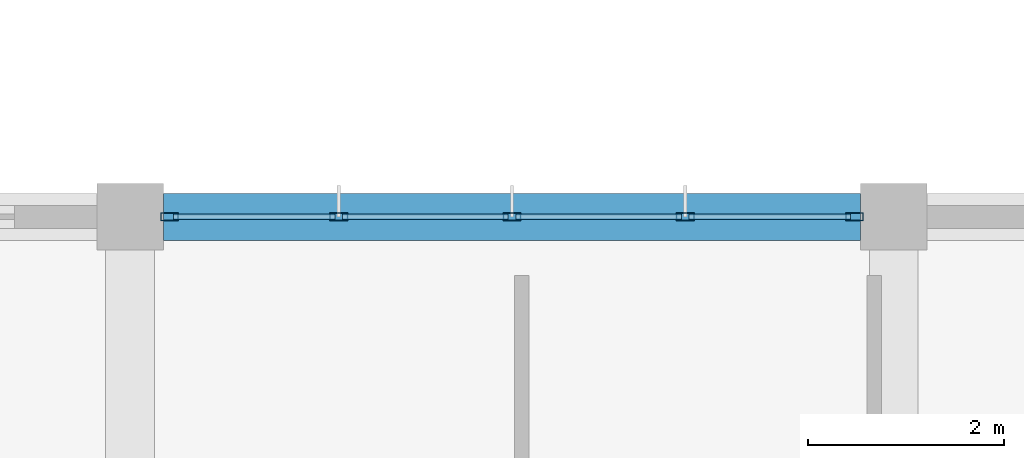
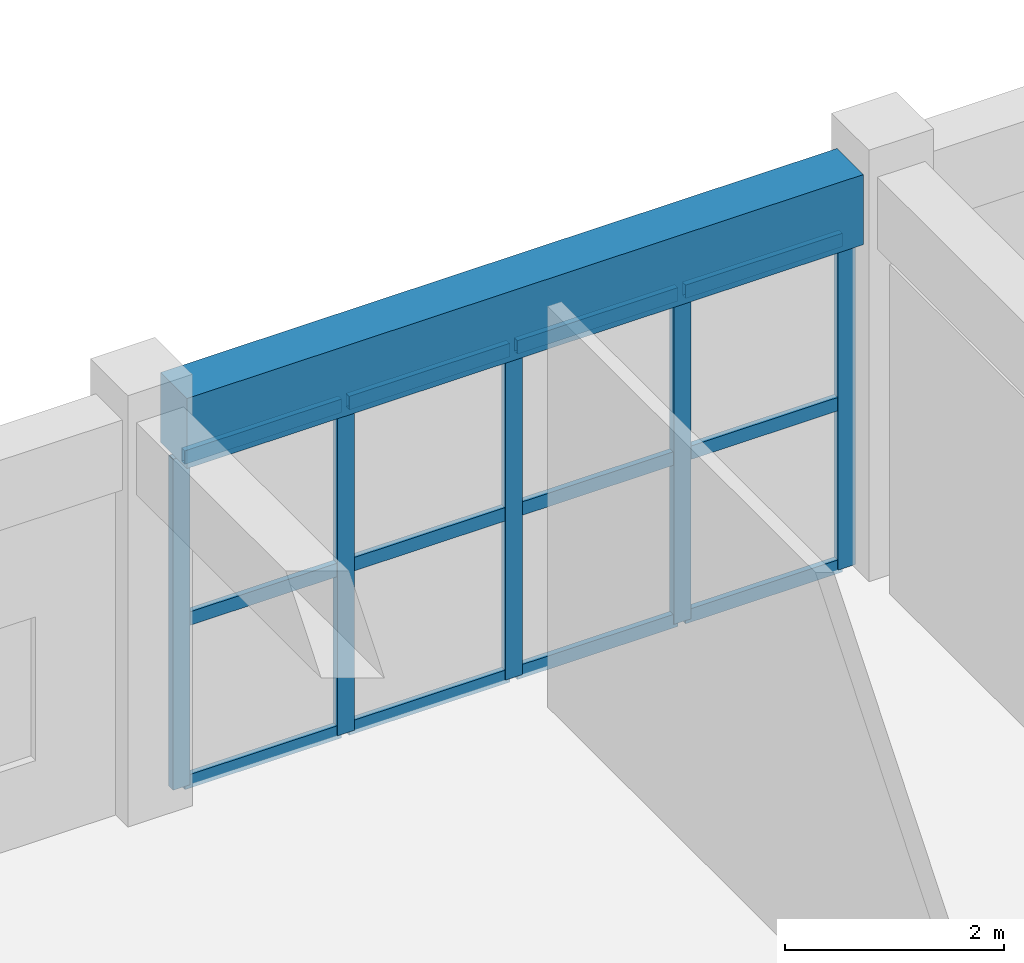
# One storey, part 109 of 175: 17 members, 1 beam, 1 element without a shape of its own.
"""IFC4 building model written with IfcOpenShell, lengths in metres."""

from ifc_helpers import new_model, si_unit, direction, frame, origin, origin_2d, place, context, subcontext, project, spatial, rectangle, hollow_rectangle, extrude, material, layer, layer_set, material_profile, profile_set, type_object, element, aggregate, save


model = new_model("IFC4")

# Units and contexts
model_context = context("Model", 3, precision=1e-05, world=origin(), true_north=direction((0.0, 1.0)))
body_context = subcontext(model_context, "Body", "Model", "MODEL_VIEW")
ifc_project = project(units=[si_unit("LENGTHUNIT", "METRE"), si_unit("AREAUNIT", "SQUARE_METRE"), si_unit("VOLUMEUNIT", "CUBIC_METRE"), si_unit("PLANEANGLEUNIT", "RADIAN"), si_unit("MASSUNIT", "GRAM", prefix="KILO")], contexts=[model_context])

# Site, building, storey
site_placement = place(None, origin())
site = spatial("IfcSite", under=ifc_project, at=site_placement, CompositionType="ELEMENT")
building_placement = place(site_placement, origin())
building = spatial("IfcBuilding", under=site, at=building_placement, Name="Zizhar Promenade General Hospital", CompositionType="ELEMENT")
storey_placement = place(building_placement, frame((0.0, 0.0, 4.800048828125)))
storey = spatial("IfcBuildingStorey", under=building, at=storey_placement, Name="L01", CompositionType="ELEMENT", Elevation=4.800048828125)

# Beam
ifc_material_1 = material(Name="Concrete C35/45", Category="concrete")
ifc_material_profile_1 = material_profile(ifc_material_1, rectangle(XDim=0.47998046875, YDim=0.780029296875, at=origin_2d()))
ifc_profile_set_1 = profile_set([ifc_material_profile_1], Name="Concrete C35/45")
beam_type = type_object("IfcBeamType", Name="BM-RC-480x780", PredefinedType="BEAM", material=ifc_profile_set_1)
beam_placement = place(storey_placement, frame((140.739990234375, 109.199951171875, 4.079833984375), z_axis=(1.0, 0.0, 0.0), x_axis=(0.0, 1.0, 0.0)))
element("IfcBeam", 1, at=beam_placement, inside=storey, type_object=beam_type, Name="Grid Beam X L01 (18-13)", PredefinedType="BEAM", context=body_context, shape_type="SweptSolid", body=[
    extrude(rectangle(XDim=0.47998046875, YDim=0.780029296875, at=origin_2d()), origin(), (0.0, 0.0, 1.0), 7.1201171875),
])

# Curtain wall, members
ifc_material_2 = material(Name="Anodised aluminium 6063-T6 and low-E glass", Category="aluminium")
ifc_layer = layer(ifc_material_2, 0.159912109375)
ifc_layer_set = layer_set([ifc_layer], Name="Anodised aluminium 6063-T6 and low-E glass")
curtain_wall_type = type_object("IfcCurtainWallType", Name="CW-CLN-EXT", PredefinedType="NOTDEFINED", material=ifc_layer_set)
curtain_wall_placement = place(storey_placement, origin())
curtain_wall = element("IfcCurtainWall", 2, at=curtain_wall_placement, inside=storey, type_object=curtain_wall_type, Name="Outpatient North Curtain Wall L01-18", PredefinedType="NOTDEFINED")
ifc_material_3 = material(Name="Anodised aluminium 6063-T6", Category="aluminium")
ifc_material_profile_2 = material_profile(ifc_material_3, hollow_rectangle(XDim=0.080078125, YDim=0.179931640625, WallThickness=0.0048828125, at=origin_2d()))
ifc_profile_set_2 = profile_set([ifc_material_profile_2], Name="Anodised aluminium 6063-T6")
member_type_1 = type_object("IfcMemberType", Name="CWM-ALU-180x80", PredefinedType="MULLION", material=ifc_profile_set_2)
member_1_placement = place(storey_placement, frame((140.800048828125, 109.199951171875, 0.0), z_axis=(0.0, 0.0, 1.0), x_axis=(0.0, 1.0, 0.0)))
member_1 = element("IfcMember", 3, at=member_1_placement, type_object=member_type_1, Name="CW-09 mullion 1", PredefinedType="MULLION", context=body_context, shape_type="SweptSolid", body=[
    extrude(hollow_rectangle(XDim=0.080078125, YDim=0.179931640625, WallThickness=0.0048828125, at=origin_2d()), origin(), (0.0, 0.0, 1.0), 3.679931640625),
])
member_2_placement = place(storey_placement, frame((142.530029296875, 109.199951171875, 0.0), z_axis=(0.0, 0.0, 1.0), x_axis=(0.0, 1.0, 0.0)))
member_2 = element("IfcMember", 4, at=member_2_placement, type_object=member_type_1, Name="CW-09 mullion 2", PredefinedType="MULLION", context=body_context, shape_type="SweptSolid", body=[
    extrude(hollow_rectangle(XDim=0.080078125, YDim=0.179931640625, WallThickness=0.0048828125, at=origin_2d()), origin(), (0.0, 0.0, 1.0), 3.679931640625),
])
member_3_placement = place(storey_placement, frame((144.300048828125, 109.199951171875, 0.0), z_axis=(0.0, 0.0, 1.0), x_axis=(0.0, 1.0, 0.0)))
member_3 = element("IfcMember", 5, at=member_3_placement, type_object=member_type_1, Name="CW-09 mullion 3", PredefinedType="MULLION", context=body_context, shape_type="SweptSolid", body=[
    extrude(hollow_rectangle(XDim=0.080078125, YDim=0.179931640625, WallThickness=0.0048828125, at=origin_2d()), origin(), (0.0, 0.0, 1.0), 3.679931640625),
])
member_4_placement = place(storey_placement, frame((146.070068359375, 109.199951171875, 0.0), z_axis=(0.0, 0.0, 1.0), x_axis=(0.0, 1.0, 0.0)))
member_4 = element("IfcMember", 6, at=member_4_placement, type_object=member_type_1, Name="CW-09 mullion 4", PredefinedType="MULLION", context=body_context, shape_type="SweptSolid", body=[
    extrude(hollow_rectangle(XDim=0.080078125, YDim=0.179931640625, WallThickness=0.0048828125, at=origin_2d()), origin(), (0.0, 0.0, 1.0), 3.679931640625),
])
member_5_placement = place(storey_placement, frame((147.800048828125, 109.199951171875, 0.0), z_axis=(0.0, 0.0, 1.0), x_axis=(0.0, 1.0, 0.0)))
member_5 = element("IfcMember", 7, at=member_5_placement, type_object=member_type_1, Name="CW-09 mullion 5", PredefinedType="MULLION", context=body_context, shape_type="SweptSolid", body=[
    extrude(hollow_rectangle(XDim=0.080078125, YDim=0.179931640625, WallThickness=0.0048828125, at=origin_2d()), origin(), (0.0, 0.0, 1.0), 3.679931640625),
])
ifc_material_4 = material(Name="Anodised aluminium 6063-T6", Category="aluminium")
ifc_material_profile_3 = material_profile(ifc_material_4, hollow_rectangle(XDim=0.06005859375, YDim=0.14990234375, WallThickness=0.00390625, at=origin_2d()))
ifc_profile_set_3 = profile_set([ifc_material_profile_3], Name="Anodised aluminium 6063-T6")
member_type_2 = type_object("IfcMemberType", Name="CWT-ALU-150x60", PredefinedType="USERDEFINED", material=ifc_profile_set_3)
member_6_placement = place(storey_placement, frame((140.840087890625, 109.199951171875, 0.030029296875), z_axis=(1.0, 0.0, 0.0), x_axis=(0.0, 1.0, 0.0)))
member_6 = element("IfcMember", 8, at=member_6_placement, type_object=member_type_2, Name="CW-09 transom 1.1", ObjectType="TRANSOM", PredefinedType="USERDEFINED", context=body_context, shape_type="SweptSolid", body=[
    extrude(hollow_rectangle(XDim=0.06005859375, YDim=0.14990234375, WallThickness=0.00390625, at=origin_2d()), origin(), (0.0, 0.0, 1.0), 1.64990234375),
])
member_7_placement = place(storey_placement, frame((140.840087890625, 109.199951171875, 1.83984375), z_axis=(1.0, 0.0, 0.0), x_axis=(0.0, 1.0, 0.0)))
member_7 = element("IfcMember", 9, at=member_7_placement, type_object=member_type_2, Name="CW-09 transom 1.2", ObjectType="TRANSOM", PredefinedType="USERDEFINED", context=body_context, shape_type="SweptSolid", body=[
    extrude(hollow_rectangle(XDim=0.06005859375, YDim=0.14990234375, WallThickness=0.00390625, at=origin_2d()), origin(), (0.0, 0.0, 1.0), 1.64990234375),
])
member_8_placement = place(storey_placement, frame((140.840087890625, 109.199951171875, 3.64990234375), z_axis=(1.0, 0.0, 0.0), x_axis=(0.0, 1.0, 0.0)))
member_8 = element("IfcMember", 10, at=member_8_placement, type_object=member_type_2, Name="CW-09 transom 1.3", ObjectType="TRANSOM", PredefinedType="USERDEFINED", context=body_context, shape_type="SweptSolid", body=[
    extrude(hollow_rectangle(XDim=0.06005859375, YDim=0.14990234375, WallThickness=0.00390625, at=origin_2d()), origin(), (0.0, 0.0, 1.0), 1.64990234375),
])
member_9_placement = place(storey_placement, frame((142.570068359375, 109.199951171875, 0.030029296875), z_axis=(1.0, 0.0, 0.0), x_axis=(0.0, 1.0, 0.0)))
member_9 = element("IfcMember", 11, at=member_9_placement, type_object=member_type_2, Name="CW-09 transom 2.1", ObjectType="TRANSOM", PredefinedType="USERDEFINED", context=body_context, shape_type="SweptSolid", body=[
    extrude(hollow_rectangle(XDim=0.06005859375, YDim=0.14990234375, WallThickness=0.00390625, at=origin_2d()), origin(), (0.0, 0.0, 1.0), 1.68994140625),
])
member_10_placement = place(storey_placement, frame((142.570068359375, 109.199951171875, 1.83984375), z_axis=(1.0, 0.0, 0.0), x_axis=(0.0, 1.0, 0.0)))
member_10 = element("IfcMember", 12, at=member_10_placement, type_object=member_type_2, Name="CW-09 transom 2.2", ObjectType="TRANSOM", PredefinedType="USERDEFINED", context=body_context, shape_type="SweptSolid", body=[
    extrude(hollow_rectangle(XDim=0.06005859375, YDim=0.14990234375, WallThickness=0.00390625, at=origin_2d()), origin(), (0.0, 0.0, 1.0), 1.68994140625),
])
member_11_placement = place(storey_placement, frame((142.570068359375, 109.199951171875, 3.64990234375), z_axis=(1.0, 0.0, 0.0), x_axis=(0.0, 1.0, 0.0)))
member_11 = element("IfcMember", 13, at=member_11_placement, type_object=member_type_2, Name="CW-09 transom 2.3", ObjectType="TRANSOM", PredefinedType="USERDEFINED", context=body_context, shape_type="SweptSolid", body=[
    extrude(hollow_rectangle(XDim=0.06005859375, YDim=0.14990234375, WallThickness=0.00390625, at=origin_2d()), origin(), (0.0, 0.0, 1.0), 1.68994140625),
])
member_12_placement = place(storey_placement, frame((144.340087890625, 109.199951171875, 0.030029296875), z_axis=(1.0, 0.0, 0.0), x_axis=(0.0, 1.0, 0.0)))
member_12 = element("IfcMember", 14, at=member_12_placement, type_object=member_type_2, Name="CW-09 transom 3.1", ObjectType="TRANSOM", PredefinedType="USERDEFINED", context=body_context, shape_type="SweptSolid", body=[
    extrude(hollow_rectangle(XDim=0.06005859375, YDim=0.14990234375, WallThickness=0.00390625, at=origin_2d()), origin(), (0.0, 0.0, 1.0), 1.68994140625),
])
member_13_placement = place(storey_placement, frame((144.340087890625, 109.199951171875, 1.83984375), z_axis=(1.0, 0.0, 0.0), x_axis=(0.0, 1.0, 0.0)))
member_13 = element("IfcMember", 15, at=member_13_placement, type_object=member_type_2, Name="CW-09 transom 3.2", ObjectType="TRANSOM", PredefinedType="USERDEFINED", context=body_context, shape_type="SweptSolid", body=[
    extrude(hollow_rectangle(XDim=0.06005859375, YDim=0.14990234375, WallThickness=0.00390625, at=origin_2d()), origin(), (0.0, 0.0, 1.0), 1.68994140625),
])
member_14_placement = place(storey_placement, frame((144.340087890625, 109.199951171875, 3.64990234375), z_axis=(1.0, 0.0, 0.0), x_axis=(0.0, 1.0, 0.0)))
member_14 = element("IfcMember", 16, at=member_14_placement, type_object=member_type_2, Name="CW-09 transom 3.3", ObjectType="TRANSOM", PredefinedType="USERDEFINED", context=body_context, shape_type="SweptSolid", body=[
    extrude(hollow_rectangle(XDim=0.06005859375, YDim=0.14990234375, WallThickness=0.00390625, at=origin_2d()), origin(), (0.0, 0.0, 1.0), 1.68994140625),
])
member_15_placement = place(storey_placement, frame((146.110107421875, 109.199951171875, 0.030029296875), z_axis=(1.0, 0.0, 0.0), x_axis=(0.0, 1.0, 0.0)))
member_15 = element("IfcMember", 17, at=member_15_placement, type_object=member_type_2, Name="CW-09 transom 4.1", ObjectType="TRANSOM", PredefinedType="USERDEFINED", context=body_context, shape_type="SweptSolid", body=[
    extrude(hollow_rectangle(XDim=0.06005859375, YDim=0.14990234375, WallThickness=0.00390625, at=origin_2d()), origin(), (0.0, 0.0, 1.0), 1.64990234375),
])
member_16_placement = place(storey_placement, frame((146.110107421875, 109.199951171875, 1.83984375), z_axis=(1.0, 0.0, 0.0), x_axis=(0.0, 1.0, 0.0)))
member_16 = element("IfcMember", 18, at=member_16_placement, type_object=member_type_2, Name="CW-09 transom 4.2", ObjectType="TRANSOM", PredefinedType="USERDEFINED", context=body_context, shape_type="SweptSolid", body=[
    extrude(hollow_rectangle(XDim=0.06005859375, YDim=0.14990234375, WallThickness=0.00390625, at=origin_2d()), origin(), (0.0, 0.0, 1.0), 1.64990234375),
])
member_17_placement = place(storey_placement, frame((146.110107421875, 109.199951171875, 3.64990234375), z_axis=(1.0, 0.0, 0.0), x_axis=(0.0, 1.0, 0.0)))
member_17 = element("IfcMember", 19, at=member_17_placement, type_object=member_type_2, Name="CW-09 transom 4.3", ObjectType="TRANSOM", PredefinedType="USERDEFINED", context=body_context, shape_type="SweptSolid", body=[
    extrude(hollow_rectangle(XDim=0.06005859375, YDim=0.14990234375, WallThickness=0.00390625, at=origin_2d()), origin(), (0.0, 0.0, 1.0), 1.64990234375),
])
aggregate(curtain_wall, [member_1, member_2, member_3, member_4, member_5, member_6, member_7, member_8, member_9, member_10, member_11, member_12, member_13, member_14, member_15, member_16, member_17])

save(model, "model.ifc")
